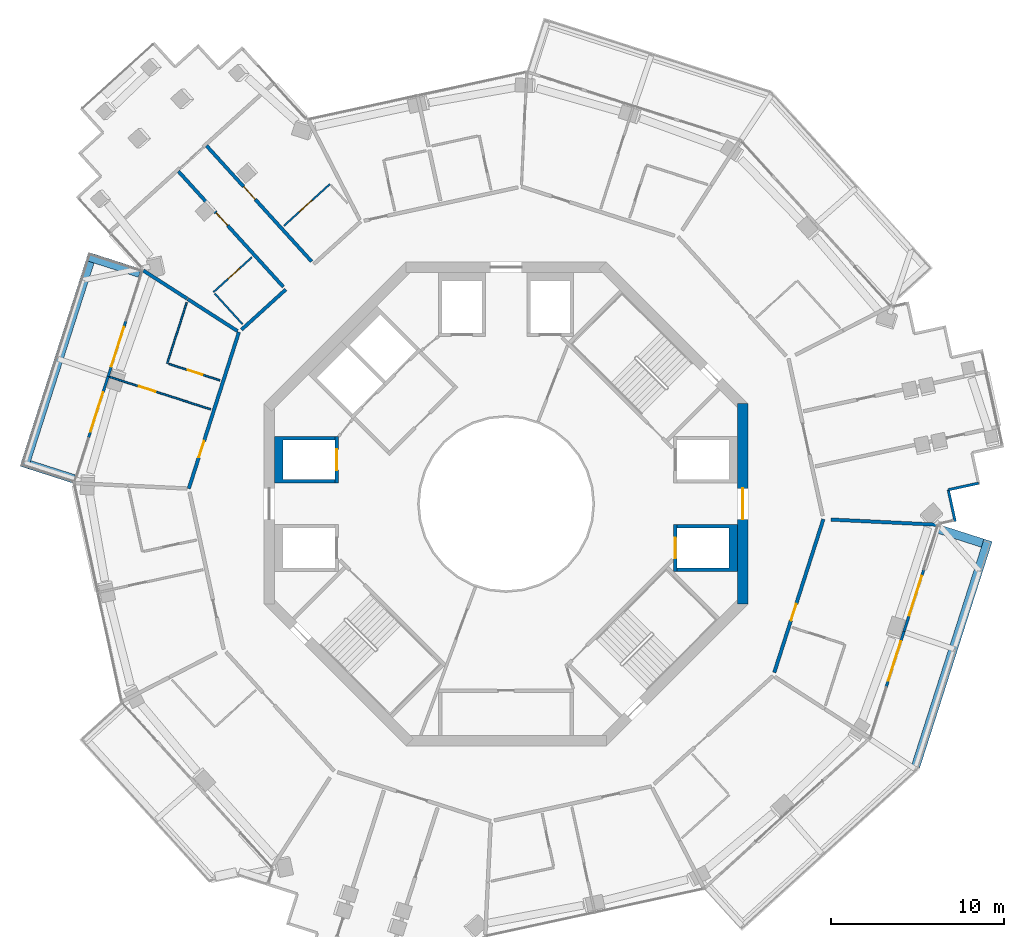
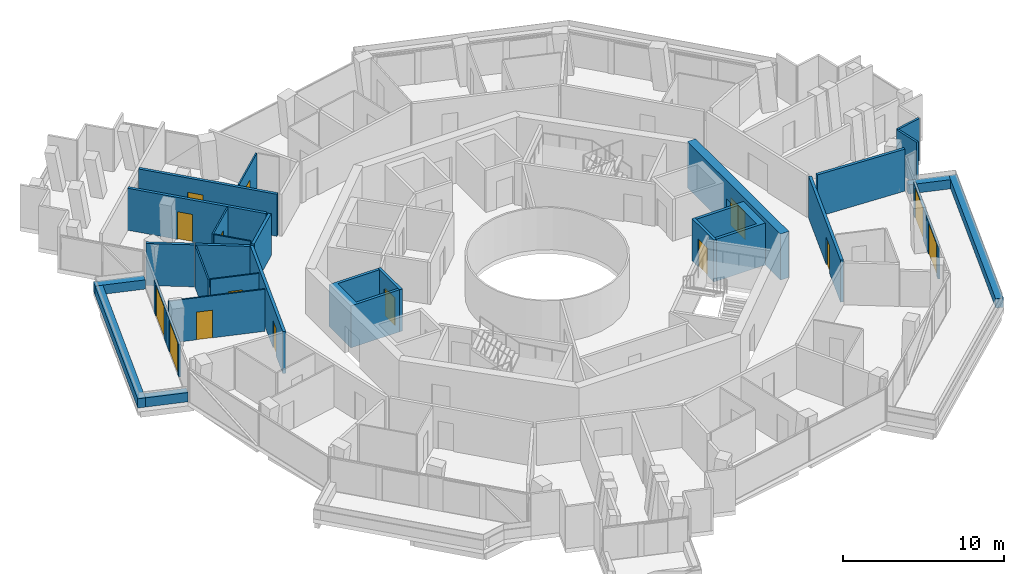
# One storey, part 17 of 23: 30 walls, 15 doors, 15 openings.
"""IFC4 building model written with IfcOpenShell, lengths in metres."""

import ifcopenshell
import ifcopenshell.guid

model = None  # the IFC model being written
_history = None  # IfcOwnerHistory: only IFC2X3 demands one
_inside = {}  # id of a spatial element -> (the spatial element, [elements in it])
_under = {}  # id of a project, library or spatial element -> (it, [spatial elements below it])
_declared = {}  # id of a project -> (the project, [libraries it declares])
_typed = {}  # id of a type object -> (the type object, [elements of that type])
_made_of = {}  # id of a material, layer set ... -> (it, [elements and type objects made of it])


def new_model(schema):
    """Start an empty IFC model of exactly this schema.

    Asked for "IFC4X3", IfcOpenShell would pick the latest addendum, in which some entities
    have other attributes; the version numbers below select the first issue.
    IFC2X3 requires an IfcOwnerHistory on every rooted entity: one is made here for all.
    """
    global model, _history
    if schema == "IFC4X3":
        model = ifcopenshell.file(schema_version=(4, 3, 0, 0))
    else:
        model = ifcopenshell.file(schema=schema)
    _inside.clear()
    _under.clear()
    _declared.clear()
    _typed.clear()
    _made_of.clear()
    _history = None
    if model.schema == "IFC2X3":
        org = make("IfcOrganization", Name="unknown")
        user = make(
            "IfcPersonAndOrganization",
            ThePerson=make("IfcPerson", FamilyName="unknown"),
            TheOrganization=org,
        )
        app = make(
            "IfcApplication",
            ApplicationDeveloper=org,
            Version="unknown",
            ApplicationFullName="unknown",
            ApplicationIdentifier="unknown",
        )
        _history = make(
            "IfcOwnerHistory",
            OwningUser=user,
            OwningApplication=app,
            ChangeAction="ADDED",
            CreationDate=0,
        )
    return model


def make(cls, **values):
    """One entity of the class cls with the attributes given. An attribute that is None is left unset."""
    return model.create_entity(
        cls, **{name: value for name, value in values.items() if value is not None}
    )


def rooted(cls, **values):
    """An entity with a GlobalId (a new one), such as an element, a storey or a relation."""
    return make(cls, GlobalId=ifcopenshell.guid.new(), OwnerHistory=_history, **values)


def si_unit(unit_type, name, prefix=None):
    """IfcSIUnit, for example si_unit("LENGTHUNIT", "METRE", prefix="MILLI")."""
    return make("IfcSIUnit", UnitType=unit_type, Prefix=prefix, Name=name)


def assignment(units):
    """IfcUnitAssignment: the units of a project."""
    return None if units is None else make("IfcUnitAssignment", Units=units)


def point(xyz):
    """IfcCartesianPoint."""
    return None if xyz is None else make("IfcCartesianPoint", Coordinates=xyz)


def direction(xyz):
    """IfcDirection."""
    return None if xyz is None else make("IfcDirection", DirectionRatios=xyz)


def frame(location, z_axis=None, x_axis=None):
    """IfcAxis2Placement3D, a coordinate frame: its origin and axes. An axis left out is left unset."""
    return make(
        "IfcAxis2Placement3D",
        Location=point(location),
        Axis=direction(z_axis),
        RefDirection=direction(x_axis),
    )


def frame_2d(location, x_axis=None):
    """IfcAxis2Placement2D, a coordinate frame in the plane: its origin and x axis."""
    return make(
        "IfcAxis2Placement2D", Location=point(location), RefDirection=direction(x_axis)
    )


def origin():
    """The frame at (0, 0, 0) with its axes left unset."""
    return frame((0.0, 0.0, 0.0))


def place(relative_to, where):
    """IfcLocalPlacement: puts the frame where relative to a parent placement (None: the world)."""
    return make(
        "IfcLocalPlacement", PlacementRelTo=relative_to, RelativePlacement=where
    )


def context(
    kind, dimensions, precision=None, world=None, true_north=None, identifier=None
):
    """IfcGeometricRepresentationContext, for example the 3D "Model" context."""
    return make(
        "IfcGeometricRepresentationContext",
        ContextIdentifier=identifier,
        ContextType=kind,
        CoordinateSpaceDimension=dimensions,
        Precision=precision,
        WorldCoordinateSystem=world,
        TrueNorth=true_north,
    )


def subcontext(parent, identifier, kind, view, scale=None):
    """IfcGeometricRepresentationSubContext, for example "Body" below "Model"."""
    return make(
        "IfcGeometricRepresentationSubContext",
        ContextIdentifier=identifier,
        ContextType=kind,
        ParentContext=parent,
        TargetScale=scale,
        TargetView=view,
    )


def project(units=None, contexts=None):
    """IfcProject with its units and contexts."""
    return rooted(
        "IfcProject",
        Name="project",
        RepresentationContexts=contexts,
        UnitsInContext=assignment(units),
    )


def spatial(cls, under=None, at=None, **own):
    """A site, building, storey or space (cls), placed at a placement, below another one or the project."""
    s = rooted(cls, ObjectPlacement=at, **own)
    if under is not None:
        _under.setdefault(under.id(), (under, []))[1].append(s)
    return s


def polyline(points):
    """IfcPolyline through the points."""
    return make("IfcPolyline", Points=[point(p) for p in points])


def profile(cls, at=None, kind="AREA", **sizes):
    """A parametric profile (cls). Its sizes go by their IFC names, for example OverallWidth=200.0."""
    return make(cls, ProfileType=kind, Position=at, **sizes)


def rectangle(**sizes):
    """IfcRectangleProfileDef."""
    return profile("IfcRectangleProfileDef", **sizes)


def outline(outer, holes=None, kind="AREA"):
    """IfcArbitraryClosedProfileDef: a profile drawn as a closed curve; with holes, ...WithVoids."""
    if holes is None:
        return make("IfcArbitraryClosedProfileDef", ProfileType=kind, OuterCurve=outer)
    return make(
        "IfcArbitraryProfileDefWithVoids",
        ProfileType=kind,
        OuterCurve=outer,
        InnerCurves=holes,
    )


def extrude(swept, where, along, depth):
    """IfcExtrudedAreaSolid: the profile swept, set in the frame where, extruded along a direction by depth."""
    return make(
        "IfcExtrudedAreaSolid",
        SweptArea=swept,
        Position=where,
        ExtrudedDirection=direction(along),
        Depth=depth,
    )


def shape(context_of_items, identifier, shape_type, items):
    """IfcShapeRepresentation: the items that make up one representation, for example the "Body"."""
    return make(
        "IfcShapeRepresentation",
        ContextOfItems=context_of_items,
        RepresentationIdentifier=identifier,
        RepresentationType=shape_type,
        Items=items,
    )


def material(Name=None, Category=None):
    """IfcMaterial."""
    return make("IfcMaterial", Name=Name, Category=Category)


def layer(
    of_material, thickness, ventilated=None, Name=None, Category=None, Priority=None
):
    """IfcMaterialLayer: one layer of a wall or slab, of a material (None: an air gap)."""
    return make(
        "IfcMaterialLayer",
        Material=of_material,
        LayerThickness=thickness,
        IsVentilated=ventilated,
        Name=Name,
        Category=Category,
        Priority=Priority,
    )


def layer_set(layers, Name=None):
    """IfcMaterialLayerSet."""
    return make("IfcMaterialLayerSet", MaterialLayers=layers, LayerSetName=Name)


def made_of(thing, what):
    """Note that an element or type object is made of a material, layer set ...; save() writes the relation."""
    if what is not None:
        _made_of.setdefault(what.id(), (what, []))[1].append(thing)
    return thing


def type_object(cls, material=None, **own):
    """A type object (cls), such as IfcWallType, which elements share."""
    return made_of(rooted(cls, **own), material)


def element(
    cls,
    number,
    at=None,
    inside=None,
    cuts=None,
    type_object=None,
    material=None,
    context=None,
    identifier="Body",
    shape_type=None,
    held_by="IfcProductDefinitionShape",
    body=None,
    shapes=None,
    **own,
):
    """One element of the class cls, such as IfcWall. Its Tag is "e" and its number.

    at: its placement. inside: the storey or other place that contains it. cuts: it is an
    opening in that element (IfcRelVoidsElement). A single representation is given by context,
    identifier, shape_type and body (its items); several are given by shapes. held_by: the class
    of the entity that holds the representations. save() writes the other relations.
    """
    e = rooted(cls, Tag="e%d" % number, ObjectPlacement=at, **own)
    if body is not None:
        shapes = [shape(context, identifier, shape_type, body)]
    if shapes is not None:
        e.Representation = make(held_by, Representations=shapes)
    if inside is not None:
        _inside.setdefault(inside.id(), (inside, []))[1].append(e)
    if cuts is not None:
        rooted(
            "IfcRelVoidsElement", RelatingBuildingElement=cuts, RelatedOpeningElement=e
        )
    if type_object is not None:
        _typed.setdefault(type_object.id(), (type_object, []))[1].append(e)
    return made_of(e, material)


def fill(opening, filler):
    """IfcRelFillsElement: the door or window that sits in an opening."""
    return rooted(
        "IfcRelFillsElement",
        RelatingOpeningElement=opening,
        RelatedBuildingElement=filler,
    )


def aggregate(whole, parts):
    """IfcRelAggregates: a whole, such as a stair, and the parts it consists of."""
    return rooted("IfcRelAggregates", RelatingObject=whole, RelatedObjects=parts)


def save(model, path):
    """Write the relations noted so far, then the file.

    IfcRelAggregates (storeys below a building ...), IfcRelContainedInSpatialStructure (elements
    in a storey), IfcRelDefinesByType, IfcRelAssociatesMaterial and IfcRelDeclares: one each for
    every whole, place, type object, material and project.
    """
    for whole, parts in _under.values():
        aggregate(whole, parts)
    for where, things in _inside.values():
        rooted(
            "IfcRelContainedInSpatialStructure",
            RelatedElements=things,
            RelatingStructure=where,
        )
    for kind, things in _typed.values():
        rooted("IfcRelDefinesByType", RelatedObjects=things, RelatingType=kind)
    for what, things in _made_of.values():
        rooted("IfcRelAssociatesMaterial", RelatedObjects=things, RelatingMaterial=what)
    for by, libraries in _declared.values():
        rooted("IfcRelDeclares", RelatingContext=by, RelatedDefinitions=libraries)
    model.write(path)


model = new_model("IFC4")

# Units and contexts
model_context = context("Model", 3, precision=1e-05, world=origin(), true_north=direction((0.0, 1.0)))
body_context = subcontext(model_context, "Body", "Model", "MODEL_VIEW")
ifc_project = project(units=[si_unit("LENGTHUNIT", "METRE"), si_unit("AREAUNIT", "SQUARE_METRE"), si_unit("VOLUMEUNIT", "CUBIC_METRE"), si_unit("PLANEANGLEUNIT", "RADIAN"), si_unit("MASSUNIT", "GRAM", prefix="KILO")], contexts=[model_context])

# Site, building, storey
site_placement = place(None, origin())
site = spatial("IfcSite", under=ifc_project, at=site_placement, CompositionType="ELEMENT")
building_placement = place(site_placement, origin())
building = spatial("IfcBuilding", under=site, at=building_placement, Name="Verdalira Terraces Hotel", CompositionType="ELEMENT")
storey_placement = place(building_placement, frame((0.0, 0.0, 205.5)))
storey = spatial("IfcBuildingStorey", under=building, at=storey_placement, Name="L50", CompositionType="ELEMENT", Elevation=205.5)

# Walls
ifc_material_1 = material(Name="Concrete C40", Category="concrete")
ifc_layer_1 = layer(ifc_material_1, 0.5)
ifc_layer_set_1 = layer_set([ifc_layer_1], Name="Balcony planter trough with tree")
wall_type_1 = type_object("IfcWallType", Name="Balcony planter trough with tree", PredefinedType="SOLIDWALL", material=ifc_layer_set_1)
wall_1_placement = place(storey_placement, frame((-21.196777, 13.352051, 0.0), z_axis=(0.0, 0.0, 1.0), x_axis=(-0.952341705, 0.305033239, 0.0)))
element("IfcWall", 1, at=wall_1_placement, inside=storey, type_object=wall_type_1, Name="Balcony planter", PredefinedType="SOLIDWALL", context=body_context, shape_type="SweptSolid", body=[
    extrude(rectangle(XDim=3.198975, YDim=0.5, at=frame_2d((1.599609, 0.0))), origin(), (0.0, 0.0, 1.0), 0.699951),
])
wall_2_placement = place(storey_placement, frame((-24.081543, 14.013428, 0.0), z_axis=(0.0, 0.0, 1.0), x_axis=(-0.305020213, -0.952345877, 0.0)))
element("IfcWall", 2, at=wall_2_placement, inside=storey, type_object=wall_type_1, Name="Balcony planter", PredefinedType="SOLIDWALL", context=body_context, shape_type="SweptSolid", body=[
    extrude(rectangle(XDim=12.5, YDim=0.5, at=frame_2d((6.25, 0.0))), origin(), (0.0, 0.0, 1.0), 0.699951),
])
wall_3_placement = place(storey_placement, frame((-27.580078, 2.270996, 0.0), z_axis=(0.0, 0.0, 1.0), x_axis=(0.952352706, -0.304998891, 0.0)))
element("IfcWall", 3, at=wall_3_placement, inside=storey, type_object=wall_type_1, Name="Balcony planter", PredefinedType="SOLIDWALL", context=body_context, shape_type="SweptSolid", body=[
    extrude(rectangle(XDim=2.699219, YDim=0.5, at=frame_2d((1.349609, 0.0))), origin(), (0.0, 0.0, 1.0), 0.699951),
])
wall_4_placement = place(storey_placement, frame((23.708252, -15.178467, 0.0), z_axis=(0.0, 0.0, 1.0), x_axis=(0.305030046, 0.952342728, 0.0)))
element("IfcWall", 4, at=wall_4_placement, inside=storey, type_object=wall_type_1, Name="Balcony planter", PredefinedType="SOLIDWALL", context=body_context, shape_type="SweptSolid", body=[
    extrude(rectangle(XDim=13.723389, YDim=0.5, at=frame_2d((6.861816, 0.0))), origin(), (0.0, 0.0, 1.0), 0.699951),
])
wall_5_placement = place(storey_placement, frame((27.580078, -2.270996, 0.0), z_axis=(0.0, 0.0, 1.0), x_axis=(-0.952352706, 0.304998891, 0.0)))
element("IfcWall", 5, at=wall_5_placement, inside=storey, type_object=wall_type_1, Name="Balcony planter", PredefinedType="SOLIDWALL", context=body_context, shape_type="SweptSolid", body=[
    extrude(rectangle(XDim=2.699219, YDim=0.5, at=frame_2d((1.349609, 0.0))), origin(), (0.0, 0.0, 1.0), 0.699951),
])

# Wall, opening, door
ifc_material_2 = material(Name="Moisture-resistant gypsum board partition")
ifc_layer_2 = layer(ifc_material_2, 0.10009765625)
ifc_layer_set_2 = layer_set([ifc_layer_2], Name="Bathroom partition 100 mm")
wall_type_2 = type_object("IfcWallType", Name="Bathroom partition 100 mm", PredefinedType="PARTITIONING", material=ifc_layer_set_2)
wall_6_placement = place(storey_placement, frame((-22.959473, 7.35376, 0.0), z_axis=(0.0, 0.0, 1.0), x_axis=(0.952341145, -0.305034988, 0.0)))
wall_6 = element("IfcWall", 6, at=wall_6_placement, inside=storey, type_object=wall_type_2, Name="Bathroom partition", PredefinedType="PARTITIONING", context=body_context, shape_type="SweptSolid", body=[
    extrude(rectangle(XDim=6.150146, YDim=0.100098, at=frame_2d((3.075195, 0.0))), origin(), (0.0, 0.0, 1.0), 3.189941),
])
opening_1_placement = place(wall_6_placement, frame((1.800049, 0.0, 0.0)))
opening_1 = element("IfcOpeningElement", 7, at=opening_1_placement, cuts=wall_6, Name="Opening L50-106", PredefinedType="OPENING", context=body_context, shape_type="SweptSolid", body=[
    extrude(rectangle(XDim=1.0, YDim=2.100098, at=frame_2d((0.5, 1.050049))), frame((0.0, 0.060059, 0.0), z_axis=(0.0, -1.0, 0.0), x_axis=(1.0, 0.0, 0.0)), (0.0, 0.0, 1.0), 0.120117),
])
ifc_material_3 = material(Name="Timber door", Category="wood")
door_type_1 = type_object("IfcDoorType", Name="Suite internal door 1000 x 2100", OperationType="NOTDEFINED", PredefinedType="DOOR", material=ifc_material_3)
door_1_placement = place(opening_1_placement, origin())
door_1 = element("IfcDoor", 8, at=door_1_placement, inside=storey, type_object=door_type_1, Name="Suite internal door 5003", OperationType="SINGLE_SWING_LEFT", OverallHeight=2.10009765625, OverallWidth=1.0, PredefinedType="DOOR", context=body_context, shape_type="SweptSolid", body=[
    extrude(rectangle(XDim=1.0, YDim=2.100098, at=frame_2d((0.5, 1.050049))), frame((0.0, 0.024902, 0.0), z_axis=(0.0, -1.0, 0.0), x_axis=(1.0, 0.0, 0.0)), (0.0, 0.0, 1.0), 0.050049),
])
fill(opening_1, door_1)

# Wall
wall_7_placement = place(storey_placement, frame((-18.483887, 11.656006, 0.0), z_axis=(0.0, 0.0, 1.0), x_axis=(-0.304974221, -0.952360606, 0.0)))
element("IfcWall", 9, at=wall_7_placement, inside=storey, type_object=wall_type_2, Name="Bathroom partition", PredefinedType="PARTITIONING", context=body_context, shape_type="SweptSolid", body=[
    extrude(rectangle(XDim=3.704102, YDim=0.100098, at=frame_2d((1.852051, 0.0))), origin(), (0.0, 0.0, 1.0), 3.189941),
])

# Wall, opening, door
wall_8_placement = place(storey_placement, frame((-19.518311, 8.0979, 0.0), z_axis=(0.0, 0.0, 1.0), x_axis=(0.952342726, -0.305030051, 0.0)))
wall_8 = element("IfcWall", 10, at=wall_8_placement, inside=storey, type_object=wall_type_2, Name="Bathroom partition", PredefinedType="PARTITIONING", context=body_context, shape_type="SweptSolid", body=[
    extrude(rectangle(XDim=3.099854, YDim=0.100098, at=frame_2d((1.549805, 0.0))), origin(), (0.0, 0.0, 1.0), 3.189941),
])
opening_2_placement = place(wall_8_placement, frame((1.149902, 0.0, 0.0)))
opening_2 = element("IfcOpeningElement", 11, at=opening_2_placement, cuts=wall_8, Name="Opening L50-107", PredefinedType="OPENING", context=body_context, shape_type="SweptSolid", body=[
    extrude(rectangle(XDim=0.899902, YDim=2.100098, at=frame_2d((0.449951, 1.050049))), frame((0.0, 0.060059, 0.0), z_axis=(0.0, -1.0, 0.0), x_axis=(1.0, 0.0, 0.0)), (0.0, 0.0, 1.0), 0.120117),
])
ifc_material_4 = material(Name="Timber door", Category="wood")
door_type_2 = type_object("IfcDoorType", Name="Bathroom door 900 x 2100", OperationType="NOTDEFINED", PredefinedType="DOOR", material=ifc_material_4)
door_2_placement = place(opening_2_placement, origin())
door_2 = element("IfcDoor", 12, at=door_2_placement, inside=storey, type_object=door_type_2, Name="Bathroom door 5003", OperationType="SINGLE_SWING_LEFT", OverallHeight=2.10009765625, OverallWidth=0.89990234375, PredefinedType="DOOR", context=body_context, shape_type="SweptSolid", body=[
    extrude(rectangle(XDim=0.899902, YDim=2.100098, at=frame_2d((0.449951, 1.050049))), frame((0.0, 0.024902, 0.0), z_axis=(0.0, -1.0, 0.0), x_axis=(1.0, 0.0, 0.0)), (0.0, 0.0, 1.0), 0.050049),
])
fill(opening_2, door_2)

# Wall
wall_9_placement = place(storey_placement, frame((-15.255615, 10.404541, 0.0), z_axis=(0.0, 0.0, 1.0), x_axis=(-0.672262592, 0.740312777, 0.0)))
element("IfcWall", 13, at=wall_9_placement, inside=storey, type_object=wall_type_2, Name="Bathroom partition", PredefinedType="PARTITIONING", context=body_context, shape_type="SweptSolid", body=[
    extrude(rectangle(XDim=2.400146, YDim=0.100098, at=frame_2d((1.200195, 0.0))), origin(), (0.0, 0.0, 1.0), 3.189941),
])

# Wall, opening, door
wall_10_placement = place(storey_placement, frame((-14.715332, 14.272217, 0.0), z_axis=(0.0, 0.0, 1.0), x_axis=(-0.740304513, -0.672271692, 0.0)))
wall_10 = element("IfcWall", 14, at=wall_10_placement, inside=storey, type_object=wall_type_2, Name="Bathroom partition", PredefinedType="PARTITIONING", context=body_context, shape_type="SweptSolid", body=[
    extrude(rectangle(XDim=3.0, YDim=0.100098, at=frame_2d((1.5, 0.0))), origin(), (0.0, 0.0, 1.0), 3.189941),
])
opening_3_placement = place(wall_10_placement, frame((0.949951, 0.0, 0.0)))
opening_3 = element("IfcOpeningElement", 15, at=opening_3_placement, cuts=wall_10, Name="Opening L50-104", PredefinedType="OPENING", context=body_context, shape_type="SweptSolid", body=[
    extrude(rectangle(XDim=0.899902, YDim=2.100098, at=frame_2d((0.449951, 1.050049))), frame((0.0, 0.060059, 0.0), z_axis=(0.0, -1.0, 0.0), x_axis=(1.0, 0.0, 0.0)), (0.0, 0.0, 1.0), 0.120117),
])
door_3_placement = place(opening_3_placement, origin())
door_3 = element("IfcDoor", 16, at=door_3_placement, inside=storey, type_object=door_type_2, Name="Bathroom door 5002", OperationType="SINGLE_SWING_RIGHT", OverallHeight=2.10009765625, OverallWidth=0.89990234375, PredefinedType="DOOR", context=body_context, shape_type="SweptSolid", body=[
    extrude(rectangle(XDim=0.899902, YDim=2.100098, at=frame_2d((0.449951, 1.050049))), frame((0.0, 0.024902, 0.0), z_axis=(0.0, -1.0, 0.0), x_axis=(1.0, 0.0, 0.0)), (0.0, 0.0, 1.0), 0.050049),
])
fill(opening_3, door_3)

wall_11_placement = place(storey_placement, frame((-10.192383, 18.513916, 0.0), z_axis=(0.0, 0.0, 1.0), x_axis=(-0.740363402, -0.672206837, 0.0)))
wall_11 = element("IfcWall", 17, at=wall_11_placement, inside=storey, type_object=wall_type_2, Name="Bathroom partition", PredefinedType="PARTITIONING", context=body_context, shape_type="SweptSolid", body=[
    extrude(rectangle(XDim=3.599854, YDim=0.100098, at=frame_2d((1.799805, 0.0))), origin(), (0.0, 0.0, 1.0), 3.189941),
])
opening_4_placement = place(wall_11_placement, frame((1.399902, 0.0, 0.0)))
opening_4 = element("IfcOpeningElement", 18, at=opening_4_placement, cuts=wall_11, Name="Opening L50-102", PredefinedType="OPENING", context=body_context, shape_type="SweptSolid", body=[
    extrude(rectangle(XDim=1.0, YDim=2.100098, at=frame_2d((0.5, 1.050049))), frame((0.0, 0.060059, 0.0), z_axis=(0.0, -1.0, 0.0), x_axis=(1.0, 0.0, 0.0)), (0.0, 0.0, 1.0), 0.120117),
])
ifc_material_5 = material(Name="Timber door", Category="wood")
door_type_3 = type_object("IfcDoorType", Name="Bathroom door 1000 x 2100", OperationType="NOTDEFINED", PredefinedType="DOOR", material=ifc_material_5)
door_4_placement = place(opening_4_placement, origin())
door_4 = element("IfcDoor", 19, at=door_4_placement, inside=storey, type_object=door_type_3, Name="Bathroom door 5001", OperationType="SINGLE_SWING_LEFT", OverallHeight=2.10009765625, OverallWidth=1.0, PredefinedType="DOOR", context=body_context, shape_type="SweptSolid", body=[
    extrude(rectangle(XDim=1.0, YDim=2.100098, at=frame_2d((0.5, 1.050049))), frame((0.0, 0.024902, 0.0), z_axis=(0.0, -1.0, 0.0), x_axis=(1.0, 0.0, 0.0)), (0.0, 0.0, 1.0), 0.050049),
])
fill(opening_4, door_4)

# Wall
ifc_material_6 = material(Name="Concrete C50", Category="concrete")
ifc_layer_3 = layer(ifc_material_6, 0.199951171875)
ifc_layer_set_3 = layer_set([ifc_layer_3], Name="Core RC wall 200 C50")
wall_type_3 = type_object("IfcWallType", Name="Core RC wall 200 C50", PredefinedType="SOLIDWALL", material=ifc_layer_set_3)
wall_12_placement = place(storey_placement, origin())
element("IfcWall", 20, at=wall_12_placement, inside=storey, type_object=wall_type_3, Name="L50 shaft wall E1", PredefinedType="SOLIDWALL", context=body_context, shape_type="SweptSolid", body=[
    extrude(outline(polyline([(13.399902, -3.899902), (9.899902, -3.899902), (9.899902, -3.699951), (12.899902, -3.699951), (12.899902, -1.399902), (9.899902, -1.399902), (9.899902, -1.199951), (13.399902, -1.199951), (13.399902, -3.899902)])), origin(), (0.0, 0.0, 1.0), 3.189941),
])

# Wall, opening, door
wall_13_placement = place(storey_placement, frame((9.800049, -1.199951, 0.0), z_axis=(0.0, 0.0, 1.0), x_axis=(0.0, -1.0, 0.0)))
wall_13 = element("IfcWall", 21, at=wall_13_placement, inside=storey, type_object=wall_type_3, Name="L50 shaft front wall E1", PredefinedType="SOLIDWALL", context=body_context, shape_type="SweptSolid", body=[
    extrude(rectangle(XDim=2.699951, YDim=0.199951, at=frame_2d((1.350098, 0.0))), origin(), (0.0, 0.0, 1.0), 3.189941),
])
opening_5_placement = place(wall_13_placement, frame((0.75, 0.0, 0.0)))
opening_5 = element("IfcOpeningElement", 22, at=opening_5_placement, cuts=wall_13, Name="Opening LD-L50-802", PredefinedType="OPENING", context=body_context, shape_type="SweptSolid", body=[
    extrude(rectangle(XDim=1.199951, YDim=2.100098, at=frame_2d((0.600098, 1.050049))), frame((0.0, 0.109863, 0.0), z_axis=(0.0, -1.0, 0.0), x_axis=(1.0, 0.0, 0.0)), (0.0, 0.0, 1.0), 0.219971),
])
ifc_material_7 = material(Name="Stainless steel", Category="steel")
door_type_4 = type_object("IfcDoorType", Name="Landing door 1200 x 2100", OperationType="NOTDEFINED", PredefinedType="DOOR", material=ifc_material_7)
door_5_placement = place(opening_5_placement, origin())
door_5 = element("IfcDoor", 23, at=door_5_placement, inside=storey, type_object=door_type_4, Name="Lift landing door HR1 L50", OperationType="DOUBLE_DOOR_SLIDING", OverallHeight=2.10009765625, OverallWidth=1.199951171875, PredefinedType="DOOR", context=body_context, shape_type="SweptSolid", body=[
    extrude(rectangle(XDim=1.199951, YDim=2.100098, at=frame_2d((0.600098, 1.050049))), frame((0.0, 0.024902, 0.0), z_axis=(0.0, -1.0, 0.0), x_axis=(1.0, 0.0, 0.0)), (0.0, 0.0, 1.0), 0.050049),
])
fill(opening_5, door_5)

# Wall
wall_14_placement = place(storey_placement, origin())
element("IfcWall", 24, at=wall_14_placement, inside=storey, type_object=wall_type_3, Name="L50 shaft wall W1", PredefinedType="SOLIDWALL", context=body_context, shape_type="SweptSolid", body=[
    extrude(outline(polyline([(-13.399902, 3.899902), (-9.899902, 3.899902), (-9.899902, 3.699951), (-12.899902, 3.699951), (-12.899902, 1.399902), (-9.899902, 1.399902), (-9.899902, 1.199951), (-13.399902, 1.199951), (-13.399902, 3.899902)])), origin(), (0.0, 0.0, 1.0), 3.189941),
])

# Wall, opening, door
wall_15_placement = place(storey_placement, frame((-9.800049, 1.199951, 0.0), z_axis=(0.0, 0.0, 1.0), x_axis=(0.0, 1.0, 0.0)))
wall_15 = element("IfcWall", 25, at=wall_15_placement, inside=storey, type_object=wall_type_3, Name="L50 shaft front wall W1", PredefinedType="SOLIDWALL", context=body_context, shape_type="SweptSolid", body=[
    extrude(rectangle(XDim=2.699951, YDim=0.199951, at=frame_2d((1.350098, 0.0))), origin(), (0.0, 0.0, 1.0), 3.189941),
])
opening_6_placement = place(wall_15_placement, frame((0.75, 0.0, 0.0)))
opening_6 = element("IfcOpeningElement", 26, at=opening_6_placement, cuts=wall_15, Name="Opening LD-L50-806", PredefinedType="OPENING", context=body_context, shape_type="SweptSolid", body=[
    extrude(rectangle(XDim=1.199951, YDim=2.100098, at=frame_2d((0.600098, 1.050049))), frame((0.0, 0.109863, 0.0), z_axis=(0.0, -1.0, 0.0), x_axis=(1.0, 0.0, 0.0)), (0.0, 0.0, 1.0), 0.219971),
])
door_6_placement = place(opening_6_placement, origin())
door_6 = element("IfcDoor", 27, at=door_6_placement, inside=storey, type_object=door_type_4, Name="Lift landing door HR5 L50", OperationType="DOUBLE_DOOR_SLIDING", OverallHeight=2.10009765625, OverallWidth=1.199951171875, PredefinedType="DOOR", context=body_context, shape_type="SweptSolid", body=[
    extrude(rectangle(XDim=1.199951, YDim=2.100098, at=frame_2d((0.600098, 1.050049))), frame((0.0, 0.024902, 0.0), z_axis=(0.0, -1.0, 0.0), x_axis=(1.0, 0.0, 0.0)), (0.0, 0.0, 1.0), 0.050049),
])
fill(opening_6, door_6)

ifc_material_8 = material(Name="Concrete C60", Category="concrete")
ifc_layer_4 = layer(ifc_material_8, 0.60009765625)
ifc_layer_set_4 = layer_set([ifc_layer_4], Name="Core wall 600 C60")
wall_type_4 = type_object("IfcWallType", Name="Core wall 600 C60", PredefinedType="SHEAR", material=ifc_layer_set_4)
wall_16_placement = place(storey_placement, frame((13.699951, -5.799072, 0.0), z_axis=(0.0, 0.0, 1.0), x_axis=(0.0, 1.0, 0.0)))
wall_16 = element("IfcWall", 28, at=wall_16_placement, inside=storey, type_object=wall_type_4, Name="Core wall CW-L50-1", PredefinedType="SHEAR", context=body_context, shape_type="SweptSolid", body=[
    extrude(rectangle(XDim=11.598145, YDim=0.600098, at=frame_2d((5.799072, 0.0))), origin(), (0.0, 0.0, 1.0), 3.5),
])
opening_7_placement = place(wall_16_placement, frame((4.898926, 0.0, 0.0)))
opening_7 = element("IfcOpeningElement", 29, at=opening_7_placement, cuts=wall_16, Name="Opening L50-813", PredefinedType="OPENING", context=body_context, shape_type="SweptSolid", body=[
    extrude(rectangle(XDim=1.800049, YDim=2.100098, at=frame_2d((0.899902, 1.050049))), frame((0.0, 0.310059, 0.0), z_axis=(0.0, -1.0, 0.0), x_axis=(1.0, 0.0, 0.0)), (0.0, 0.0, 1.0), 0.620117),
])
ifc_material_9 = material(Name="Steel fire door", Category="steel")
door_type_5 = type_object("IfcDoorType", Name="Core entry door pair 1800 x 2100", OperationType="NOTDEFINED", PredefinedType="DOOR", material=ifc_material_9)
door_7_placement = place(opening_7_placement, origin())
door_7 = element("IfcDoor", 30, at=door_7_placement, inside=storey, type_object=door_type_5, Name="Core entry door L50 0", OperationType="DOUBLE_DOOR_SINGLE_SWING", OverallHeight=2.10009765625, OverallWidth=1.800048828125, PredefinedType="DOOR", context=body_context, shape_type="SweptSolid", body=[
    extrude(rectangle(XDim=1.800049, YDim=2.100098, at=frame_2d((0.899902, 1.050049))), frame((0.0, 0.024902, 0.0), z_axis=(0.0, -1.0, 0.0), x_axis=(1.0, 0.0, 0.0)), (0.0, 0.0, 1.0), 0.050049),
])
fill(opening_7, door_7)

# Walls
ifc_material_10 = material(Name="Fire-rated gypsum board wall")
ifc_layer_5 = layer(ifc_material_10, 0.199951171875)
ifc_layer_set_5 = layer_set([ifc_layer_5], Name="Demising wall 200 mm")
wall_type_5 = type_object("IfcWallType", Name="Demising wall 200 mm", PredefinedType="SOLIDWALL", material=ifc_layer_set_5)
wall_17_placement = place(storey_placement, frame((-18.460938, 11.878906, 0.0), z_axis=(0.0, 0.0, 1.0), x_axis=(-0.840933425, 0.541138592, 0.0)))
element("IfcWall", 31, at=wall_17_placement, inside=storey, type_object=wall_type_5, Name="Demising wall", PredefinedType="SOLIDWALL", context=body_context, shape_type="SweptSolid", body=[
    extrude(rectangle(XDim=3.011475, YDim=0.199951, at=frame_2d((1.505859, 0.0))), origin(), (0.0, 0.0, 1.0), 3.189941),
])
wall_18_placement = place(storey_placement, frame((-15.547607, 10.004395, 0.0), z_axis=(0.0, 0.0, 1.0), x_axis=(-0.84093939, 0.541129321, 0.0)))
element("IfcWall", 32, at=wall_18_placement, inside=storey, type_object=wall_type_5, Name="Demising wall", PredefinedType="SOLIDWALL", context=body_context, shape_type="SweptSolid", body=[
    extrude(rectangle(XDim=3.418457, YDim=0.199951, at=frame_2d((1.709229, 0.0))), origin(), (0.0, 0.0, 1.0), 3.189941),
])
wall_19_placement = place(storey_placement, frame((24.935059, -1.202148, 0.0), z_axis=(0.0, 0.0, 1.0), x_axis=(-0.998838948, 0.048174232, 0.0)))
element("IfcWall", 33, at=wall_19_placement, inside=storey, type_object=wall_type_5, Name="Demising wall", PredefinedType="SOLIDWALL", context=body_context, shape_type="SweptSolid", body=[
    extrude(rectangle(XDim=6.13208, YDim=0.199951, at=frame_2d((3.065918, 0.0))), origin(), (0.0, 0.0, 1.0), 3.189941),
])

# Wall, opening, door
ifc_material_11 = material(Name="Fire-rated gypsum board wall")
ifc_layer_6 = layer(ifc_material_11, 0.199951171875)
ifc_layer_set_6 = layer_set([ifc_layer_6], Name="Guest corridor wall 200 mm")
wall_type_6 = type_object("IfcWallType", Name="Guest corridor wall 200 mm", PredefinedType="SOLIDWALL", material=ifc_layer_set_6)
wall_20_placement = place(storey_placement, frame((-18.363281, 0.885254, 0.0), z_axis=(0.0, 0.0, 1.0), x_axis=(0.305000051, 0.952352334, 0.0)))
wall_20 = element("IfcWall", 34, at=wall_20_placement, inside=storey, type_object=wall_type_6, Name="Guest corridor wall", PredefinedType="SOLIDWALL", context=body_context, shape_type="SweptSolid", body=[
    extrude(rectangle(XDim=9.516602, YDim=0.199951, at=frame_2d((4.758301, 0.0))), origin(), (0.0, 0.0, 1.0), 3.189941),
])
opening_8_placement = place(wall_20_placement, frame((1.899902, 0.0, 0.0)))
opening_8 = element("IfcOpeningElement", 35, at=opening_8_placement, cuts=wall_20, Name="Opening L50-105", PredefinedType="OPENING", context=body_context, shape_type="SweptSolid", body=[
    extrude(rectangle(XDim=1.0, YDim=2.100098, at=frame_2d((0.5, 1.050049))), frame((0.0, 0.109863, 0.0), z_axis=(0.0, -1.0, 0.0), x_axis=(1.0, 0.0, 0.0)), (0.0, 0.0, 1.0), 0.219971),
])
ifc_material_12 = material(Name="Timber fire door", Category="wood")
door_type_6 = type_object("IfcDoorType", Name="Guest entry door 1000 x 2100", OperationType="NOTDEFINED", PredefinedType="DOOR", material=ifc_material_12)
door_8_placement = place(opening_8_placement, origin())
door_8 = element("IfcDoor", 36, at=door_8_placement, inside=storey, type_object=door_type_6, Name="Guest entry door 5003", OperationType="SINGLE_SWING_LEFT", OverallHeight=2.10009765625, OverallWidth=1.0, PredefinedType="DOOR", context=body_context, shape_type="SweptSolid", body=[
    extrude(rectangle(XDim=1.0, YDim=2.100098, at=frame_2d((0.5, 1.050049))), frame((0.0, 0.024902, 0.0), z_axis=(0.0, -1.0, 0.0), x_axis=(1.0, 0.0, 0.0)), (0.0, 0.0, 1.0), 0.050049),
])
fill(opening_8, door_8)

wall_21_placement = place(storey_placement, frame((-12.886719, 12.555664, 0.0), z_axis=(0.0, 0.0, 1.0), x_axis=(-0.672229236, 0.740343066, 0.0)))
wall_21 = element("IfcWall", 37, at=wall_21_placement, inside=storey, type_object=wall_type_6, Name="Guest corridor wall", PredefinedType="SOLIDWALL", context=body_context, shape_type="SweptSolid", body=[
    extrude(rectangle(XDim=9.043213, YDim=0.199951, at=frame_2d((4.521484, 0.0))), origin(), (0.0, 0.0, 1.0), 3.189941),
])
opening_9_placement = place(wall_21_placement, frame((4.800049, 0.0, 0.0)))
opening_9 = element("IfcOpeningElement", 38, at=opening_9_placement, cuts=wall_21, Name="Opening L50-103", PredefinedType="OPENING", context=body_context, shape_type="SweptSolid", body=[
    extrude(rectangle(XDim=1.0, YDim=2.100098, at=frame_2d((0.5, 1.050049))), frame((0.0, 0.109863, 0.0), z_axis=(0.0, -1.0, 0.0), x_axis=(1.0, 0.0, 0.0)), (0.0, 0.0, 1.0), 0.219971),
])
door_9_placement = place(opening_9_placement, origin())
door_9 = element("IfcDoor", 39, at=door_9_placement, inside=storey, type_object=door_type_6, Name="Guest entry door 5002", OperationType="SINGLE_SWING_RIGHT", OverallHeight=2.10009765625, OverallWidth=1.0, PredefinedType="DOOR", context=body_context, shape_type="SweptSolid", body=[
    extrude(rectangle(XDim=1.0, YDim=2.100098, at=frame_2d((0.5, 1.050049))), frame((0.0, 0.024902, 0.0), z_axis=(0.0, -1.0, 0.0), x_axis=(1.0, 0.0, 0.0)), (0.0, 0.0, 1.0), 0.050049),
])
fill(opening_9, door_9)

wall_22_placement = place(storey_placement, frame((-17.337158, 20.729736, 0.0), z_axis=(0.0, 0.0, 1.0), x_axis=(0.672244033, -0.74032963, 0.0)))
wall_22 = element("IfcWall", 40, at=wall_22_placement, inside=storey, type_object=wall_type_6, Name="Guest corridor wall", PredefinedType="SOLIDWALL", context=body_context, shape_type="SweptSolid", body=[
    extrude(rectangle(XDim=9.043457, YDim=0.199951, at=frame_2d((4.521729, 0.0))), origin(), (0.0, 0.0, 1.0), 3.189941),
])
opening_10_placement = place(wall_22_placement, frame((3.199951, 0.0, 0.0)))
opening_10 = element("IfcOpeningElement", 41, at=opening_10_placement, cuts=wall_22, Name="Opening L50-101", PredefinedType="OPENING", context=body_context, shape_type="SweptSolid", body=[
    extrude(rectangle(XDim=1.0, YDim=2.100098, at=frame_2d((0.5, 1.050049))), frame((0.0, 0.109863, 0.0), z_axis=(0.0, -1.0, 0.0), x_axis=(1.0, 0.0, 0.0)), (0.0, 0.0, 1.0), 0.219971),
])
door_10_placement = place(opening_10_placement, origin())
door_10 = element("IfcDoor", 42, at=door_10_placement, inside=storey, type_object=door_type_6, Name="Guest entry door 5001", OperationType="SINGLE_SWING_LEFT", OverallHeight=2.10009765625, OverallWidth=1.0, PredefinedType="DOOR", context=body_context, shape_type="SweptSolid", body=[
    extrude(rectangle(XDim=1.0, YDim=2.100098, at=frame_2d((0.5, 1.050049))), frame((0.0, 0.024902, 0.0), z_axis=(0.0, -1.0, 0.0), x_axis=(1.0, 0.0, 0.0)), (0.0, 0.0, 1.0), 0.050049),
])
fill(opening_10, door_10)

# Wall
wall_23_placement = place(storey_placement, frame((-12.752197, 12.407715, 0.0), z_axis=(0.0, 0.0, 1.0), x_axis=(-0.740313689, -0.672261587, 0.0)))
element("IfcWall", 43, at=wall_23_placement, inside=storey, type_object=wall_type_6, Name="Guest corridor wall", PredefinedType="SOLIDWALL", context=body_context, shape_type="SweptSolid", body=[
    extrude(rectangle(XDim=3.458496, YDim=0.199951, at=frame_2d((1.729248, 0.0))), origin(), (0.0, 0.0, 1.0), 3.189941),
])

# Wall, opening, door
wall_24_placement = place(storey_placement, frame((18.363281, -0.885254, 0.0), z_axis=(0.0, 0.0, 1.0), x_axis=(-0.305026737, -0.952343787, 0.0)))
wall_24 = element("IfcWall", 44, at=wall_24_placement, inside=storey, type_object=wall_type_6, Name="Guest corridor wall", PredefinedType="SOLIDWALL", context=body_context, shape_type="SweptSolid", body=[
    extrude(rectangle(XDim=9.31665, YDim=0.199951, at=frame_2d((4.658203, 0.0))), origin(), (0.0, 0.0, 1.0), 3.189941),
])
opening_11_placement = place(wall_24_placement, frame((5.149902, 0.0, 0.0)))
opening_11 = element("IfcOpeningElement", 45, at=opening_11_placement, cuts=wall_24, Name="Opening L50-121", PredefinedType="OPENING", context=body_context, shape_type="SweptSolid", body=[
    extrude(rectangle(XDim=1.0, YDim=2.100098, at=frame_2d((0.5, 1.050049))), frame((0.0, 0.109863, 0.0), z_axis=(0.0, -1.0, 0.0), x_axis=(1.0, 0.0, 0.0)), (0.0, 0.0, 1.0), 0.219971),
])
door_11_placement = place(opening_11_placement, origin())
door_11 = element("IfcDoor", 46, at=door_11_placement, inside=storey, type_object=door_type_6, Name="Guest entry door 5009", OperationType="SINGLE_SWING_LEFT", OverallHeight=2.10009765625, OverallWidth=1.0, PredefinedType="DOOR", context=body_context, shape_type="SweptSolid", body=[
    extrude(rectangle(XDim=1.0, YDim=2.100098, at=frame_2d((0.5, 1.050049))), frame((0.0, 0.024902, 0.0), z_axis=(0.0, -1.0, 0.0), x_axis=(1.0, 0.0, 0.0)), (0.0, 0.0, 1.0), 0.050049),
])
fill(opening_11, door_11)

# Walls
ifc_material_13 = material(Name="Terracotta cladding", Category="masonry")
ifc_layer_7 = layer(ifc_material_13, 0.14990234375)
ifc_layer_set_7 = layer_set([ifc_layer_7], Name="Terracotta clad wall 150")
wall_type_7 = type_object("IfcWallType", Name="Terracotta clad wall 150", PredefinedType="SOLIDWALL", material=ifc_layer_set_7)
wall_25_placement = place(storey_placement, frame((25.989014, -1.013184, 0.0), z_axis=(0.0, 0.0, 1.0), x_axis=(-0.212116089, 0.977244475, 0.0)))
element("IfcWall", 47, at=wall_25_placement, inside=storey, type_object=wall_type_7, Name="Terracotta cladding wall", PredefinedType="SOLIDWALL", context=body_context, shape_type="SweptSolid", body=[
    extrude(rectangle(XDim=1.875, YDim=0.149902, at=frame_2d((0.9375, 0.0))), origin(), (0.0, 0.0, 1.0), 3.189941),
])
wall_26_placement = place(storey_placement, frame((25.591309, 0.819092, 0.0), z_axis=(0.0, 0.0, 1.0), x_axis=(0.977275402, 0.211973557, 0.0)))
element("IfcWall", 48, at=wall_26_placement, inside=storey, type_object=wall_type_7, Name="Terracotta cladding wall", PredefinedType="SOLIDWALL", context=body_context, shape_type="SweptSolid", body=[
    extrude(rectangle(XDim=1.800293, YDim=0.149902, at=frame_2d((0.900146, 0.0))), origin(), (0.0, 0.0, 1.0), 3.189941),
])

# Wall, opening, door
ifc_material_14 = material(Name="Terracotta cladding", Category="masonry")
ifc_layer_8 = layer(ifc_material_14, 0.14990234375)
ifc_layer_set_8 = layer_set([ifc_layer_8], Name="Terracotta door pier 150")
wall_type_8 = type_object("IfcWallType", Name="Terracotta door pier 150", PredefinedType="SOLIDWALL", material=ifc_layer_set_8)
wall_27_placement = place(storey_placement, frame((-21.993652, 10.614502, 0.0), z_axis=(0.0, 0.0, 1.0), x_axis=(-0.305046694, -0.952337395, 0.0)))
wall_27 = element("IfcWall", 49, at=wall_27_placement, inside=storey, type_object=wall_type_8, Name="Terracotta door pier", PredefinedType="SOLIDWALL", context=body_context, shape_type="SweptSolid", body=[
    extrude(rectangle(XDim=3.399902, YDim=0.149902, at=frame_2d((1.699951, 0.0))), origin(), (0.0, 0.0, 1.0), 2.475098),
])
opening_12_placement = place(wall_27_placement, frame((0.399902, 0.0, 0.0)))
opening_12 = element("IfcOpeningElement", 50, at=opening_12_placement, cuts=wall_27, Name="Opening L50-B01", PredefinedType="OPENING", context=body_context, shape_type="SweptSolid", body=[
    extrude(rectangle(XDim=2.399902, YDim=2.399902, at=frame_2d((1.199951, 1.199951))), frame((0.0, 0.084961, 0.0), z_axis=(0.0, -1.0, 0.0), x_axis=(1.0, 0.0, 0.0)), (0.0, 0.0, 1.0), 0.169922),
])
ifc_material_15 = material(Name="Clear glass", Category="glass")
door_type_7 = type_object("IfcDoorType", Name="Balcony sliding door 2400x2400", OperationType="NOTDEFINED", PredefinedType="DOOR", material=ifc_material_15)
door_12_placement = place(opening_12_placement, origin())
door_12 = element("IfcDoor", 51, at=door_12_placement, inside=storey, type_object=door_type_7, Name="Balcony sliding door", OperationType="SLIDING_TO_RIGHT", OverallHeight=2.39990234375, OverallWidth=2.39990234375, PredefinedType="DOOR", context=body_context, shape_type="SweptSolid", body=[
    extrude(rectangle(XDim=2.399902, YDim=2.399902, at=frame_2d((1.199951, 1.199951))), frame((0.0, 0.024902, 0.0), z_axis=(0.0, -1.0, 0.0), x_axis=(1.0, 0.0, 0.0)), (0.0, 0.0, 1.0), 0.050049),
])
fill(opening_12, door_12)

wall_28_placement = place(storey_placement, frame((-23.030762, 7.376709, 0.0), z_axis=(0.0, 0.0, 1.0), x_axis=(-0.305067752, -0.95233065, 0.0)))
wall_28 = element("IfcWall", 52, at=wall_28_placement, inside=storey, type_object=wall_type_8, Name="Terracotta door pier", PredefinedType="SOLIDWALL", context=body_context, shape_type="SweptSolid", body=[
    extrude(rectangle(XDim=3.76123, YDim=0.149902, at=frame_2d((1.880615, 0.0))), origin(), (0.0, 0.0, 1.0), 2.475098),
])
opening_13_placement = place(wall_28_placement, frame((0.961182, 0.0, 0.0)))
opening_13 = element("IfcOpeningElement", 53, at=opening_13_placement, cuts=wall_28, Name="Opening L50-B02", PredefinedType="OPENING", context=body_context, shape_type="SweptSolid", body=[
    extrude(rectangle(XDim=2.399902, YDim=2.399902, at=frame_2d((1.199951, 1.199951))), frame((0.0, 0.084961, 0.0), z_axis=(0.0, -1.0, 0.0), x_axis=(1.0, 0.0, 0.0)), (0.0, 0.0, 1.0), 0.169922),
])
door_13_placement = place(opening_13_placement, origin())
door_13 = element("IfcDoor", 54, at=door_13_placement, inside=storey, type_object=door_type_7, Name="Balcony sliding door", OperationType="SLIDING_TO_LEFT", OverallHeight=2.39990234375, OverallWidth=2.39990234375, PredefinedType="DOOR", context=body_context, shape_type="SweptSolid", body=[
    extrude(rectangle(XDim=2.399902, YDim=2.399902, at=frame_2d((1.199951, 1.199951))), frame((0.0, 0.024902, 0.0), z_axis=(0.0, -1.0, 0.0), x_axis=(1.0, 0.0, 0.0)), (0.0, 0.0, 1.0), 0.050049),
])
fill(opening_13, door_13)

wall_29_placement = place(storey_placement, frame((21.993652, -10.614502, 0.0), z_axis=(0.0, 0.0, 1.0), x_axis=(0.305046694, 0.952337395, 0.0)))
wall_29 = element("IfcWall", 55, at=wall_29_placement, inside=storey, type_object=wall_type_8, Name="Terracotta door pier", PredefinedType="SOLIDWALL", context=body_context, shape_type="SweptSolid", body=[
    extrude(rectangle(XDim=3.399902, YDim=0.149902, at=frame_2d((1.699951, 0.0))), origin(), (0.0, 0.0, 1.0), 2.475098),
])
opening_14_placement = place(wall_29_placement, frame((0.399902, 0.0, 0.0)))
opening_14 = element("IfcOpeningElement", 56, at=opening_14_placement, cuts=wall_29, Name="Opening L50-B08", PredefinedType="OPENING", context=body_context, shape_type="SweptSolid", body=[
    extrude(rectangle(XDim=2.399902, YDim=2.399902, at=frame_2d((1.199951, 1.199951))), frame((0.0, 0.084961, 0.0), z_axis=(0.0, -1.0, 0.0), x_axis=(1.0, 0.0, 0.0)), (0.0, 0.0, 1.0), 0.169922),
])
door_14_placement = place(opening_14_placement, origin())
door_14 = element("IfcDoor", 57, at=door_14_placement, inside=storey, type_object=door_type_7, Name="Balcony sliding door", OperationType="SLIDING_TO_RIGHT", OverallHeight=2.39990234375, OverallWidth=2.39990234375, PredefinedType="DOOR", context=body_context, shape_type="SweptSolid", body=[
    extrude(rectangle(XDim=2.399902, YDim=2.399902, at=frame_2d((1.199951, 1.199951))), frame((0.0, 0.024902, 0.0), z_axis=(0.0, -1.0, 0.0), x_axis=(1.0, 0.0, 0.0)), (0.0, 0.0, 1.0), 0.050049),
])
fill(opening_14, door_14)

wall_30_placement = place(storey_placement, frame((23.030762, -7.376709, 0.0), z_axis=(0.0, 0.0, 1.0), x_axis=(0.305067752, 0.95233065, 0.0)))
wall_30 = element("IfcWall", 58, at=wall_30_placement, inside=storey, type_object=wall_type_8, Name="Terracotta door pier", PredefinedType="SOLIDWALL", context=body_context, shape_type="SweptSolid", body=[
    extrude(rectangle(XDim=3.76123, YDim=0.149902, at=frame_2d((1.880615, 0.0))), origin(), (0.0, 0.0, 1.0), 2.475098),
])
opening_15_placement = place(wall_30_placement, frame((0.961182, 0.0, 0.0)))
opening_15 = element("IfcOpeningElement", 59, at=opening_15_placement, cuts=wall_30, Name="Opening L50-B09", PredefinedType="OPENING", context=body_context, shape_type="SweptSolid", body=[
    extrude(rectangle(XDim=2.399902, YDim=2.399902, at=frame_2d((1.199951, 1.199951))), frame((0.0, 0.084961, 0.0), z_axis=(0.0, -1.0, 0.0), x_axis=(1.0, 0.0, 0.0)), (0.0, 0.0, 1.0), 0.169922),
])
door_15_placement = place(opening_15_placement, origin())
door_15 = element("IfcDoor", 60, at=door_15_placement, inside=storey, type_object=door_type_7, Name="Balcony sliding door", OperationType="SLIDING_TO_LEFT", OverallHeight=2.39990234375, OverallWidth=2.39990234375, PredefinedType="DOOR", context=body_context, shape_type="SweptSolid", body=[
    extrude(rectangle(XDim=2.399902, YDim=2.399902, at=frame_2d((1.199951, 1.199951))), frame((0.0, 0.024902, 0.0), z_axis=(0.0, -1.0, 0.0), x_axis=(1.0, 0.0, 0.0)), (0.0, 0.0, 1.0), 0.050049),
])
fill(opening_15, door_15)

save(model, "model.ifc")
